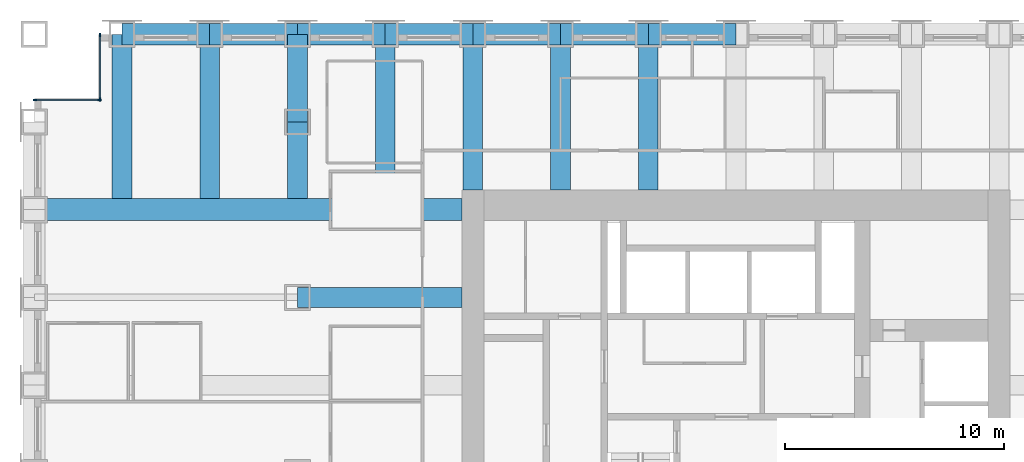
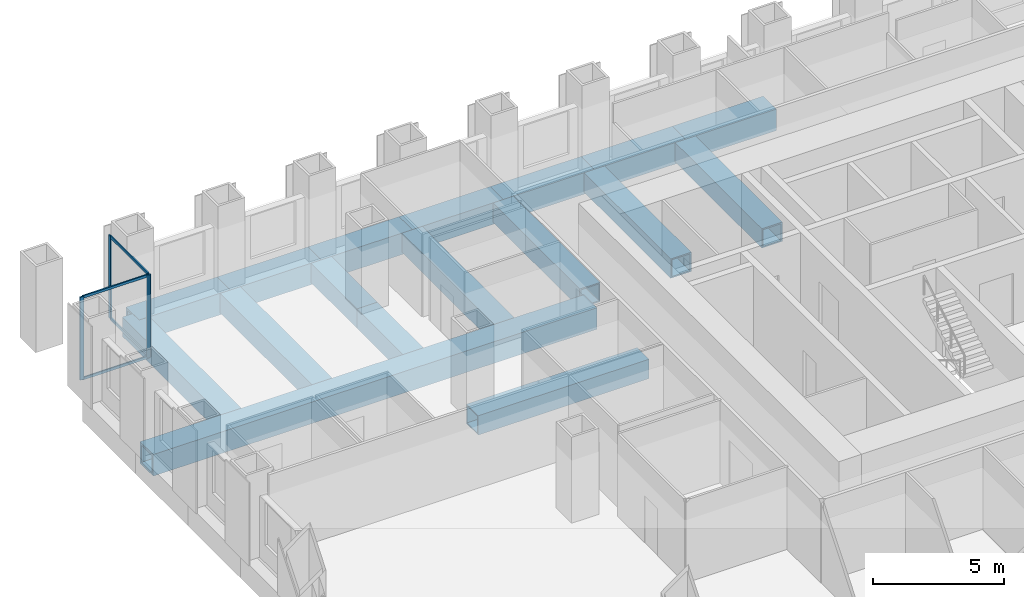
# One storey, part 6 of 15: 17 beams, 8 members, 2 elements without a shape of their own.
"""IFC4 building model written with IfcOpenShell, lengths in metres."""

from ifc_helpers import new_model, si_unit, direction, frame, origin, origin_2d, place, context, subcontext, project, spatial, rectangle, hollow_rectangle, extrude, material, material_profile, profile_set, type_object, element, aggregate, save


model = new_model("IFC4")

# Units and contexts
model_context = context("Model", 3, precision=1e-05, world=origin(), true_north=direction((0.0, 1.0)))
body_context = subcontext(model_context, "Body", "Model", "MODEL_VIEW")
ifc_project = project(units=[si_unit("LENGTHUNIT", "METRE"), si_unit("AREAUNIT", "SQUARE_METRE"), si_unit("VOLUMEUNIT", "CUBIC_METRE"), si_unit("PLANEANGLEUNIT", "RADIAN"), si_unit("MASSUNIT", "GRAM", prefix="KILO")], contexts=[model_context])

# Site, building, storey
site_placement = place(None, origin())
site = spatial("IfcSite", under=ifc_project, at=site_placement, CompositionType="ELEMENT")
building_placement = place(site_placement, origin())
building = spatial("IfcBuilding", under=site, at=building_placement, Name="Rimbunsela Tower", CompositionType="ELEMENT")
storey_placement = place(building_placement, frame((0.0, 0.0, 19.0)))
storey = spatial("IfcBuildingStorey", under=building, at=storey_placement, Name="L04", CompositionType="ELEMENT", Elevation=19.0)

# Beams
ifc_material_1 = material(Name="Steel BJ 55 (fy 410 MPa)", Category="steel")
ifc_material_profile_1 = material_profile(ifc_material_1, hollow_rectangle(XDim=1.0, YDim=1.0, WallThickness=0.10009765625, at=origin_2d()), Name="BOX 1000x1000x100")
ifc_profile_set_1 = profile_set([ifc_material_profile_1], Name="Steel BJ 55 (fy 410 MPa)")
beam_type_1 = type_object("IfcBeamType", Name="Beam BOX 1000x1000x100", PredefinedType="BEAM", material=ifc_profile_set_1)
beam_1_placement = place(storey_placement, frame((-2.0, 36.0, -0.64990234375), z_axis=(1.0, 0.0, 0.0), x_axis=(0.0, 1.0, 0.0)))
element("IfcBeam", 1, at=beam_1_placement, inside=storey, type_object=beam_type_1, Name="Beam B3 L04", PredefinedType="BEAM", context=body_context, shape_type="SweptSolid", body=[
    extrude(hollow_rectangle(XDim=1.0, YDim=1.0, WallThickness=0.10009765625, at=origin_2d()), origin(), (0.0, 0.0, 1.0), 19.5),
])
for number, where, z_axis, x_axis, name in (
    (2, (2.0, 44.0, -0.64990234375), (1.0, 0.0, 0.0), (0.0, 1.0, 0.0), "Beam B3 L04"),
    (3, (6.0, 44.0, -0.64990234375), (1.0, 0.0, 0.0), (0.0, 1.0, 0.0), "Beam B3 L04"),
    (4, (10.0, 44.0, -0.64990234375), (1.0, 0.0, 0.0), (0.0, 1.0, 0.0), "Beam B3 L04"),
    (5, (14.0, 44.0, -0.64990234375), (1.0, 0.0, 0.0), (0.0, 1.0, 0.0), "Beam B3 L04"),
    (6, (18.0, 44.0, -0.64990234375), (1.0, 0.0, 0.0), (0.0, 1.0, 0.0), "Beam B3 L04"),
    (7, (22.0, 44.0, -0.64990234375), (1.0, 0.0, 0.0), (0.0, 1.0, 0.0), "Beam B3 L04"),
    (8, (26.0, 44.0, -0.64990234375), (1.0, 0.0, 0.0), (0.0, 1.0, 0.0), "Beam B3 L04"),
):
    element("IfcBeam", number, at=place(storey_placement, frame(where, z_axis=z_axis, x_axis=x_axis)), inside=storey, type_object=beam_type_1, Name=name, PredefinedType="BEAM", context=body_context, shape_type="SweptSolid", body=[
        extrude(hollow_rectangle(XDim=1.0, YDim=1.0, WallThickness=0.10009765625, at=origin_2d()), origin(), (0.0, 0.0, 1.0), 4.0),
    ])
ifc_material_2 = material(Name="Steel BJ 55 (fy 410 MPa)", Category="steel")
ifc_material_profile_2 = material_profile(ifc_material_2, hollow_rectangle(XDim=0.89990234375, YDim=0.89990234375, WallThickness=0.06005859375, at=origin_2d()), Name="BOX 900x900x60")
ifc_profile_set_2 = profile_set([ifc_material_profile_2], Name="Steel BJ 55 (fy 410 MPa)")
beam_type_2 = type_object("IfcBeamType", Name="Beam BOX 900x900x60", PredefinedType="BEAM", material=ifc_profile_set_2)
for number, where, z_axis, x_axis, name in (
    (9, (2.0, 36.5, -0.60009765625), (0.0, 1.0, 0.0), (-1.0, 0.0, 0.0), "Beam B1 L04"),
    (10, (6.0, 36.5, -0.60009765625), (0.0, 1.0, 0.0), (-1.0, 0.0, 0.0), "Beam B1 L04"),
    (11, (10.0, 32.0, -0.60009765625), (1.0, 0.0, 0.0), (0.0, 1.0, 0.0), "Beam B1 L04"),
):
    element("IfcBeam", number, at=place(storey_placement, frame(where, z_axis=z_axis, x_axis=x_axis)), inside=storey, type_object=beam_type_2, Name=name, PredefinedType="BEAM", context=body_context, shape_type="SweptSolid", body=[
        extrude(hollow_rectangle(XDim=0.89990234375, YDim=0.89990234375, WallThickness=0.06005859375, at=origin_2d()), origin(), (0.0, 0.0, 1.0), 7.5),
    ])
beam_2_placement = place(storey_placement, frame((10.0, 36.5, -0.60009765625), z_axis=(0.0, 1.0, 0.0), x_axis=(-1.0, 0.0, 0.0)))
element("IfcBeam", 12, at=beam_2_placement, inside=storey, type_object=beam_type_2, Name="Beam B1 L04", PredefinedType="BEAM", context=body_context, shape_type="SweptSolid", body=[
    extrude(hollow_rectangle(XDim=0.89990234375, YDim=0.89990234375, WallThickness=0.06005859375, at=origin_2d()), origin(), (0.0, 0.0, 1.0), 3.5),
])
beam_3_placement = place(storey_placement, frame((10.0, 40.0, -0.60009765625), z_axis=(0.0, 1.0, 0.0), x_axis=(-1.0, 0.0, 0.0)))
element("IfcBeam", 13, at=beam_3_placement, inside=storey, type_object=beam_type_2, Name="Beam B1 L04", PredefinedType="BEAM", context=body_context, shape_type="SweptSolid", body=[
    extrude(hollow_rectangle(XDim=0.89990234375, YDim=0.89990234375, WallThickness=0.06005859375, at=origin_2d()), origin(), (0.0, 0.0, 1.0), 4.0),
])
beam_4_placement = place(storey_placement, frame((14.0, 36.5, -0.60009765625), z_axis=(0.0, 1.0, 0.0), x_axis=(-1.0, 0.0, 0.0)))
element("IfcBeam", 14, at=beam_4_placement, inside=storey, type_object=beam_type_2, Name="Beam B1 L04", PredefinedType="BEAM", context=body_context, shape_type="SweptSolid", body=[
    extrude(hollow_rectangle(XDim=0.89990234375, YDim=0.89990234375, WallThickness=0.06005859375, at=origin_2d()), origin(), (0.0, 0.0, 1.0), 7.5),
])
for number, where, z_axis, x_axis, name in (
    (15, (18.0, 36.89990234375, -0.60009765625), (0.0, 1.0, 0.0), (-1.0, 0.0, 0.0), "Beam B1 L04"),
    (16, (22.0, 36.89990234375, -0.60009765625), (0.0, 1.0, 0.0), (-1.0, 0.0, 0.0), "Beam B1 L04"),
    (17, (26.0, 36.89990234375, -0.60009765625), (0.0, 1.0, 0.0), (-1.0, 0.0, 0.0), "Beam B1 L04"),
):
    element("IfcBeam", number, at=place(storey_placement, frame(where, z_axis=z_axis, x_axis=x_axis)), inside=storey, type_object=beam_type_2, Name=name, PredefinedType="BEAM", context=body_context, shape_type="SweptSolid", body=[
        extrude(hollow_rectangle(XDim=0.89990234375, YDim=0.89990234375, WallThickness=0.06005859375, at=origin_2d()), origin(), (0.0, 0.0, 1.0), 7.10009765625),
    ])

# Curtain wall, members
ifc_material_3 = material(Name="Aluminium curtain wall", Category="aluminium")
curtain_wall_type = type_object("IfcCurtainWallType", Name="Corner glazing", PredefinedType="USERDEFINED", material=ifc_material_3)
curtain_wall_1_placement = place(storey_placement, origin())
curtain_wall_1 = element("IfcCurtainWall", 18, at=curtain_wall_1_placement, inside=storey, type_object=curtain_wall_type, Name="Corner glazing L04", ObjectType="CORNER GLAZING", PredefinedType="USERDEFINED")
ifc_material_4 = material(Name="Aluminium mullion", Category="aluminium")
ifc_material_profile_3 = material_profile(ifc_material_4, rectangle(XDim=0.06005859375, YDim=0.159912109375, at=origin_2d()), Name="Mullion 60x160")
ifc_profile_set_3 = profile_set([ifc_material_profile_3], Name="Aluminium mullion")
member_type_1 = type_object("IfcMemberType", Name="Curtain wall mullion 60x160", PredefinedType="MULLION", material=ifc_profile_set_3)
member_1_placement = place(storey_placement, frame((1.0, 43.969970703125, 0.0), z_axis=(0.0, 0.0, 1.0), x_axis=(1.0, 0.0, 0.0)))
member_1 = element("IfcMember", 19, at=member_1_placement, type_object=member_type_1, Name="CW5 mullion 1", PredefinedType="MULLION", context=body_context, shape_type="SweptSolid", body=[
    extrude(rectangle(XDim=0.06005859375, YDim=0.159912109375, at=origin_2d()), origin(), (0.0, 0.0, 1.0), 3.85009765625),
])
member_2_placement = place(storey_placement, frame((1.0, 41.030029296875, 0.0), z_axis=(0.0, 0.0, 1.0), x_axis=(1.0, 0.0, 0.0)))
member_2 = element("IfcMember", 20, at=member_2_placement, type_object=member_type_1, Name="CW5 mullion 2", PredefinedType="MULLION", context=body_context, shape_type="SweptSolid", body=[
    extrude(rectangle(XDim=0.06005859375, YDim=0.159912109375, at=origin_2d()), origin(), (0.0, 0.0, 1.0), 3.85009765625),
])

curtain_wall_2_placement = place(storey_placement, origin())
curtain_wall_2 = element("IfcCurtainWall", 21, at=curtain_wall_2_placement, inside=storey, type_object=curtain_wall_type, Name="Corner glazing L04", ObjectType="CORNER GLAZING", PredefinedType="USERDEFINED")
member_3_placement = place(storey_placement, frame((0.969970703125, 41.0, 0.0), z_axis=(0.0, 0.0, 1.0), x_axis=(0.0, -1.0, 0.0)))
member_3 = element("IfcMember", 22, at=member_3_placement, type_object=member_type_1, Name="CW5 mullion 1", PredefinedType="MULLION", context=body_context, shape_type="SweptSolid", body=[
    extrude(rectangle(XDim=0.06005859375, YDim=0.159912109375, at=origin_2d()), origin(), (0.0, 0.0, 1.0), 3.85009765625),
])
member_4_placement = place(storey_placement, frame((-1.969970703125, 41.0, 0.0), z_axis=(0.0, 0.0, 1.0), x_axis=(0.0, -1.0, 0.0)))
member_4 = element("IfcMember", 23, at=member_4_placement, type_object=member_type_1, Name="CW5 mullion 2", PredefinedType="MULLION", context=body_context, shape_type="SweptSolid", body=[
    extrude(rectangle(XDim=0.06005859375, YDim=0.159912109375, at=origin_2d()), origin(), (0.0, 0.0, 1.0), 3.85009765625),
])

# Member
ifc_material_5 = material(Name="Aluminium transom", Category="aluminium")
ifc_material_profile_4 = material_profile(ifc_material_5, rectangle(XDim=0.06005859375, YDim=0.1201171875, at=origin_2d()), Name="Transom 60x120")
ifc_profile_set_4 = profile_set([ifc_material_profile_4], Name="Aluminium transom")
member_type_2 = type_object("IfcMemberType", Name="Curtain wall transom 60x120", PredefinedType="USERDEFINED", material=ifc_profile_set_4)
member_5_placement = place(storey_placement, frame((1.0, 43.93994140625, 0.030029296875), z_axis=(0.0, -1.0, 0.0), x_axis=(1.0, 0.0, 0.0)))
member_5 = element("IfcMember", 24, at=member_5_placement, type_object=member_type_2, Name="CW5 transom 1.1", ObjectType="TRANSOM", PredefinedType="USERDEFINED", context=body_context, shape_type="SweptSolid", body=[
    extrude(rectangle(XDim=0.06005859375, YDim=0.1201171875, at=origin_2d()), origin(), (0.0, 0.0, 1.0), 2.8798828125),
])

member_6_placement = place(storey_placement, frame((1.0, 43.93994140625, 3.820068359375), z_axis=(0.0, -1.0, 0.0), x_axis=(1.0, 0.0, 0.0)))
member_6 = element("IfcMember", 25, at=member_6_placement, type_object=member_type_2, Name="CW5 transom 1.2", ObjectType="TRANSOM", PredefinedType="USERDEFINED", context=body_context, shape_type="SweptSolid", body=[
    extrude(rectangle(XDim=0.06005859375, YDim=0.1201171875, at=origin_2d()), origin(), (0.0, 0.0, 1.0), 2.8798828125),
])

aggregate(curtain_wall_1, [member_1, member_2, member_5, member_6])

member_7_placement = place(storey_placement, frame((0.93994140625, 41.0, 0.030029296875), z_axis=(-1.0, 0.0, 0.0), x_axis=(0.0, -1.0, 0.0)))
member_7 = element("IfcMember", 26, at=member_7_placement, type_object=member_type_2, Name="CW5 transom 1.1", ObjectType="TRANSOM", PredefinedType="USERDEFINED", context=body_context, shape_type="SweptSolid", body=[
    extrude(rectangle(XDim=0.06005859375, YDim=0.1201171875, at=origin_2d()), origin(), (0.0, 0.0, 1.0), 2.8798828125),
])

member_8_placement = place(storey_placement, frame((0.93994140625, 41.0, 3.820068359375), z_axis=(-1.0, 0.0, 0.0), x_axis=(0.0, -1.0, 0.0)))
member_8 = element("IfcMember", 27, at=member_8_placement, type_object=member_type_2, Name="CW5 transom 1.2", ObjectType="TRANSOM", PredefinedType="USERDEFINED", context=body_context, shape_type="SweptSolid", body=[
    extrude(rectangle(XDim=0.06005859375, YDim=0.1201171875, at=origin_2d()), origin(), (0.0, 0.0, 1.0), 2.8798828125),
])

aggregate(curtain_wall_2, [member_3, member_4, member_7, member_8])

save(model, "model.ifc")
